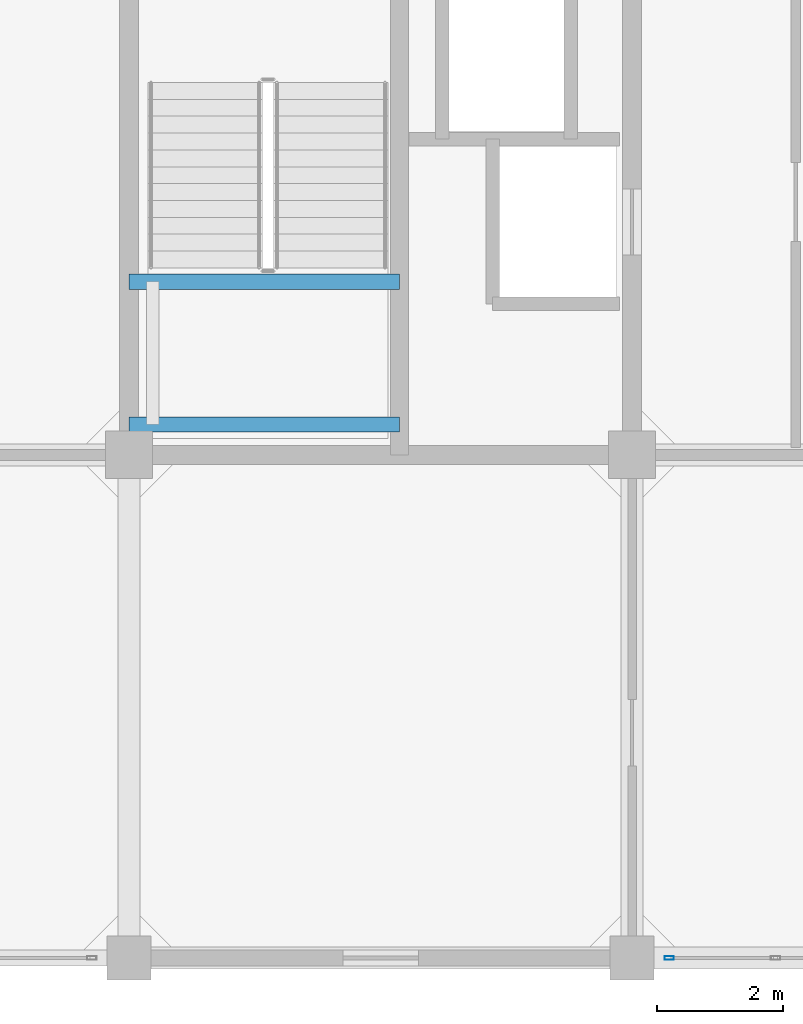
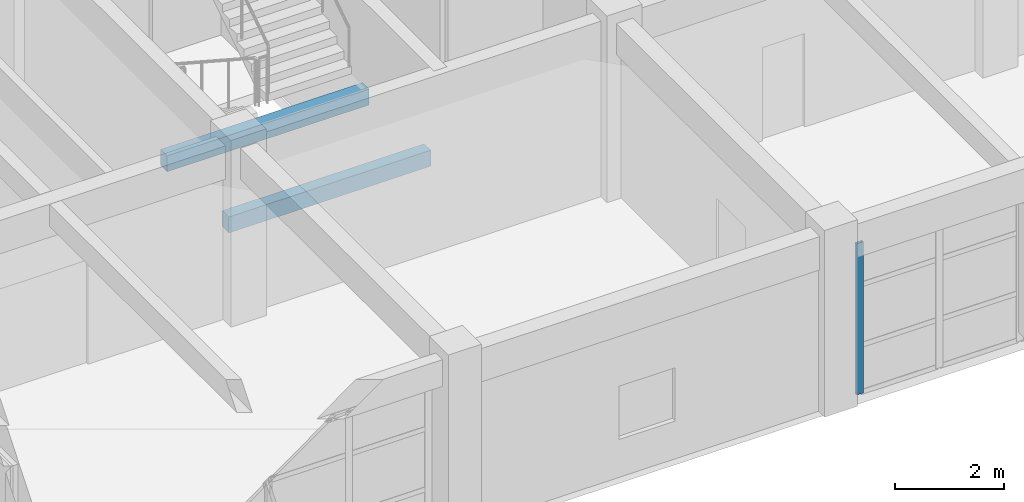
# One storey, part 5 of 19: 2 beams, 1 member, 1 element without a shape of its own.
"""IFC4 building model written with IfcOpenShell, lengths in metres."""

from ifc_helpers import new_model, si_unit, direction, frame, origin, origin_2d, place, context, subcontext, project, spatial, rectangle, hollow_rectangle, extrude, material, layer, layer_set, material_profile, profile_set, type_object, element, aggregate, save


model = new_model("IFC4")

# Units and contexts
model_context = context("Model", 3, precision=1e-05, world=origin(), true_north=direction((0.0, 1.0)))
body_context = subcontext(model_context, "Body", "Model", "MODEL_VIEW")
ifc_project = project(units=[si_unit("LENGTHUNIT", "METRE"), si_unit("AREAUNIT", "SQUARE_METRE"), si_unit("VOLUMEUNIT", "CUBIC_METRE"), si_unit("PLANEANGLEUNIT", "RADIAN"), si_unit("MASSUNIT", "GRAM", prefix="KILO")], contexts=[model_context])

# Site, building, storey
site_placement = place(None, origin())
site = spatial("IfcSite", under=ifc_project, at=site_placement, CompositionType="ELEMENT")
building_placement = place(site_placement, origin())
building = spatial("IfcBuilding", under=site, at=building_placement, Name="Canggui Botanical Conservatory", CompositionType="ELEMENT")
storey_placement = place(building_placement, frame((0.0, 0.0, 48.60009765625)))
storey = spatial("IfcBuildingStorey", under=building, at=storey_placement, Name="L12", CompositionType="ELEMENT", Elevation=48.60009765625)

# Beams
ifc_material_1 = material(Name="Concrete C35", Category="concrete")
ifc_material_profile_1 = material_profile(ifc_material_1, rectangle(XDim=0.239990234375, YDim=0.360107421875, at=origin_2d()), Name="RB 240x360")
ifc_profile_set_1 = profile_set([ifc_material_profile_1], Name="Concrete C35")
beam_type = type_object("IfcBeamType", Name="BM-LIN01", PredefinedType="LINTEL", material=ifc_profile_set_1)
for number, where, z_axis, x_axis, name in (
    (1, (154.0, 42.47998046875, 1.719970703125), (1.0, 0.0, 0.0), (0.0, 1.0, 0.0), "ST-T1 Half-Landing Ledger Beam L12-1.1"),
    (2, (154.0, 44.75244140625, 1.719970703125), (1.0, 0.0, 0.0), (0.0, 1.0, 0.0), "ST-T1 Half-Landing Ledger Beam L12-1.2"),
):
    element("IfcBeam", number, at=place(storey_placement, frame(where, z_axis=z_axis, x_axis=x_axis)), inside=storey, type_object=beam_type, Name=name, PredefinedType="LINTEL", context=body_context, shape_type="SweptSolid", body=[
        extrude(rectangle(XDim=0.239990234375, YDim=0.360107421875, at=origin_2d()), origin(), (0.0, 0.0, 1.0), 4.300048828125),
    ])

# Curtain wall, member
ifc_material_2 = material(Name="Thermally Broken Aluminium", Category="aluminium")
ifc_layer = layer(ifc_material_2, 0.14990234375, Name="Thermally Broken Aluminium", Category="aluminium")
ifc_layer_set = layer_set([ifc_layer], Name="Thermally Broken Aluminium")
curtain_wall_type = type_object("IfcCurtainWallType", Name="CW-UNIT-C", PredefinedType="USERDEFINED", material=ifc_layer_set)
curtain_wall_placement = place(storey_placement, origin())
curtain_wall = element("IfcCurtainWall", 3, at=curtain_wall_placement, inside=storey, type_object=curtain_wall_type, Name="Facade Curtain Wall CW-TWR-L12-02", ObjectType="UNITISED CURTAIN WALL", PredefinedType="USERDEFINED")
ifc_material_profile_2 = material_profile(ifc_material_2, hollow_rectangle(XDim=0.06005859375, YDim=0.14990234375, WallThickness=0.00341796875, at=origin_2d()), Name="CWM 60x150x3.5")
ifc_profile_set_2 = profile_set([ifc_material_profile_2], Name="Thermally Broken Aluminium")
member_type = type_object("IfcMemberType", Name="CWM-03", PredefinedType="MULLION", material=ifc_profile_set_2)
member_placement = place(storey_placement, frame((162.590087890625, 34.0, 0.0), z_axis=(0.0, 0.0, 1.0), x_axis=(0.0, -1.0, 0.0)))
member = element("IfcMember", 4, at=member_placement, type_object=member_type, Name="CW-03 mullion 5", PredefinedType="MULLION", context=body_context, shape_type="SweptSolid", body=[
    extrude(hollow_rectangle(XDim=0.06005859375, YDim=0.14990234375, WallThickness=0.00341796875, at=origin_2d()), origin(), (0.0, 0.0, 1.0), 3.39990234375),
])
aggregate(curtain_wall, [member])

save(model, "model.ifc")
